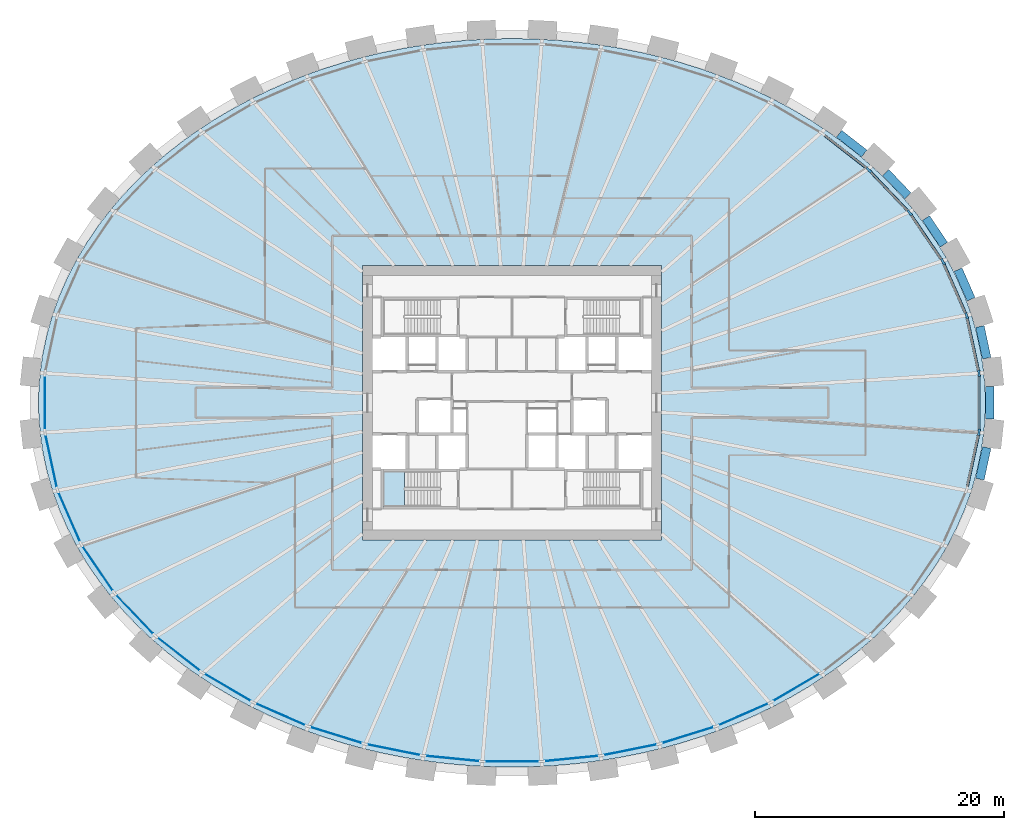
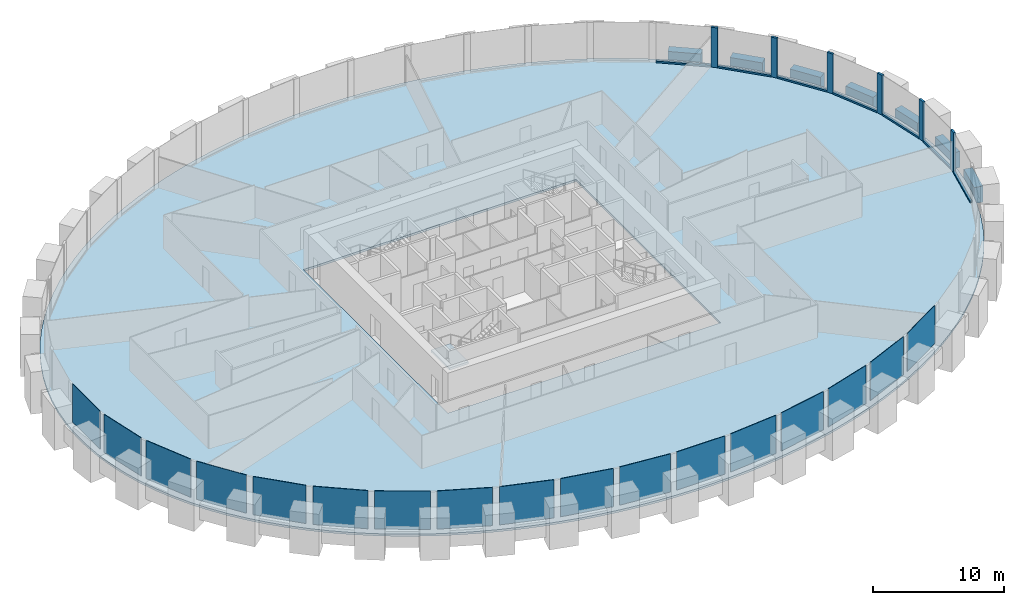
# One storey, part 4 of 11: 17 plates, 13 members, 7 beams, 2 slabs, 2 elements without a shape of their own.
"""IFC4 building model written with IfcOpenShell, lengths in metres."""

import ifcopenshell
import ifcopenshell.guid

model = None  # the IFC model being written
_history = None  # IfcOwnerHistory: only IFC2X3 demands one
_inside = {}  # id of a spatial element -> (the spatial element, [elements in it])
_under = {}  # id of a project, library or spatial element -> (it, [spatial elements below it])
_declared = {}  # id of a project -> (the project, [libraries it declares])
_typed = {}  # id of a type object -> (the type object, [elements of that type])
_made_of = {}  # id of a material, layer set ... -> (it, [elements and type objects made of it])


def new_model(schema):
    """Start an empty IFC model of exactly this schema.

    Asked for "IFC4X3", IfcOpenShell would pick the latest addendum, in which some entities
    have other attributes; the version numbers below select the first issue.
    IFC2X3 requires an IfcOwnerHistory on every rooted entity: one is made here for all.
    """
    global model, _history
    if schema == "IFC4X3":
        model = ifcopenshell.file(schema_version=(4, 3, 0, 0))
    else:
        model = ifcopenshell.file(schema=schema)
    _inside.clear()
    _under.clear()
    _declared.clear()
    _typed.clear()
    _made_of.clear()
    _history = None
    if model.schema == "IFC2X3":
        org = make("IfcOrganization", Name="unknown")
        user = make(
            "IfcPersonAndOrganization",
            ThePerson=make("IfcPerson", FamilyName="unknown"),
            TheOrganization=org,
        )
        app = make(
            "IfcApplication",
            ApplicationDeveloper=org,
            Version="unknown",
            ApplicationFullName="unknown",
            ApplicationIdentifier="unknown",
        )
        _history = make(
            "IfcOwnerHistory",
            OwningUser=user,
            OwningApplication=app,
            ChangeAction="ADDED",
            CreationDate=0,
        )
    return model


def make(cls, **values):
    """One entity of the class cls with the attributes given. An attribute that is None is left unset."""
    return model.create_entity(
        cls, **{name: value for name, value in values.items() if value is not None}
    )


def rooted(cls, **values):
    """An entity with a GlobalId (a new one), such as an element, a storey or a relation."""
    return make(cls, GlobalId=ifcopenshell.guid.new(), OwnerHistory=_history, **values)


def si_unit(unit_type, name, prefix=None):
    """IfcSIUnit, for example si_unit("LENGTHUNIT", "METRE", prefix="MILLI")."""
    return make("IfcSIUnit", UnitType=unit_type, Prefix=prefix, Name=name)


def assignment(units):
    """IfcUnitAssignment: the units of a project."""
    return None if units is None else make("IfcUnitAssignment", Units=units)


def point(xyz):
    """IfcCartesianPoint."""
    return None if xyz is None else make("IfcCartesianPoint", Coordinates=xyz)


def direction(xyz):
    """IfcDirection."""
    return None if xyz is None else make("IfcDirection", DirectionRatios=xyz)


def frame(location, z_axis=None, x_axis=None):
    """IfcAxis2Placement3D, a coordinate frame: its origin and axes. An axis left out is left unset."""
    return make(
        "IfcAxis2Placement3D",
        Location=point(location),
        Axis=direction(z_axis),
        RefDirection=direction(x_axis),
    )


def frame_2d(location, x_axis=None):
    """IfcAxis2Placement2D, a coordinate frame in the plane: its origin and x axis."""
    return make(
        "IfcAxis2Placement2D", Location=point(location), RefDirection=direction(x_axis)
    )


def origin():
    """The frame at (0, 0, 0) with its axes left unset."""
    return frame((0.0, 0.0, 0.0))


def origin_2d():
    """The frame at (0, 0) in the plane with its x axis left unset."""
    return frame_2d((0.0, 0.0))


def place(relative_to, where):
    """IfcLocalPlacement: puts the frame where relative to a parent placement (None: the world)."""
    return make(
        "IfcLocalPlacement", PlacementRelTo=relative_to, RelativePlacement=where
    )


def context(
    kind, dimensions, precision=None, world=None, true_north=None, identifier=None
):
    """IfcGeometricRepresentationContext, for example the 3D "Model" context."""
    return make(
        "IfcGeometricRepresentationContext",
        ContextIdentifier=identifier,
        ContextType=kind,
        CoordinateSpaceDimension=dimensions,
        Precision=precision,
        WorldCoordinateSystem=world,
        TrueNorth=true_north,
    )


def subcontext(parent, identifier, kind, view, scale=None):
    """IfcGeometricRepresentationSubContext, for example "Body" below "Model"."""
    return make(
        "IfcGeometricRepresentationSubContext",
        ContextIdentifier=identifier,
        ContextType=kind,
        ParentContext=parent,
        TargetScale=scale,
        TargetView=view,
    )


def project(units=None, contexts=None):
    """IfcProject with its units and contexts."""
    return rooted(
        "IfcProject",
        Name="project",
        RepresentationContexts=contexts,
        UnitsInContext=assignment(units),
    )


def spatial(cls, under=None, at=None, **own):
    """A site, building, storey or space (cls), placed at a placement, below another one or the project."""
    s = rooted(cls, ObjectPlacement=at, **own)
    if under is not None:
        _under.setdefault(under.id(), (under, []))[1].append(s)
    return s


def polyline(points):
    """IfcPolyline through the points."""
    return make("IfcPolyline", Points=[point(p) for p in points])


def profile(cls, at=None, kind="AREA", **sizes):
    """A parametric profile (cls). Its sizes go by their IFC names, for example OverallWidth=200.0."""
    return make(cls, ProfileType=kind, Position=at, **sizes)


def rectangle(**sizes):
    """IfcRectangleProfileDef."""
    return profile("IfcRectangleProfileDef", **sizes)


def outline(outer, holes=None, kind="AREA"):
    """IfcArbitraryClosedProfileDef: a profile drawn as a closed curve; with holes, ...WithVoids."""
    if holes is None:
        return make("IfcArbitraryClosedProfileDef", ProfileType=kind, OuterCurve=outer)
    return make(
        "IfcArbitraryProfileDefWithVoids",
        ProfileType=kind,
        OuterCurve=outer,
        InnerCurves=holes,
    )


def extrude(swept, where, along, depth):
    """IfcExtrudedAreaSolid: the profile swept, set in the frame where, extruded along a direction by depth."""
    return make(
        "IfcExtrudedAreaSolid",
        SweptArea=swept,
        Position=where,
        ExtrudedDirection=direction(along),
        Depth=depth,
    )


def shape(context_of_items, identifier, shape_type, items):
    """IfcShapeRepresentation: the items that make up one representation, for example the "Body"."""
    return make(
        "IfcShapeRepresentation",
        ContextOfItems=context_of_items,
        RepresentationIdentifier=identifier,
        RepresentationType=shape_type,
        Items=items,
    )


def source(mapping_origin, context_of_items, identifier, shape_type, items):
    """IfcRepresentationMap: a shape defined once, which mapped items show again and again."""
    return make(
        "IfcRepresentationMap",
        MappingOrigin=mapping_origin,
        MappedRepresentation=shape(context_of_items, identifier, shape_type, items),
    )


def transform(
    local_origin,
    x_axis=None,
    y_axis=None,
    z_axis=None,
    scale=None,
    scale2=None,
    scale3=None,
    uniform=True,
):
    """IfcCartesianTransformationOperator3D, or its non-uniform kind. x_axis, y_axis, z_axis: its Axis1, 2, 3."""
    if uniform:
        return make(
            "IfcCartesianTransformationOperator3D",
            Axis1=direction(x_axis),
            Axis2=direction(y_axis),
            LocalOrigin=point(local_origin),
            Scale=scale,
            Axis3=direction(z_axis),
        )
    return make(
        "IfcCartesianTransformationOperator3DnonUniform",
        Axis1=direction(x_axis),
        Axis2=direction(y_axis),
        LocalOrigin=point(local_origin),
        Scale=scale,
        Axis3=direction(z_axis),
        Scale2=scale2,
        Scale3=scale3,
    )


def mapped(mapping_source, mapping_target):
    """IfcMappedItem: shows the shape of a source again, moved by a transform."""
    return make(
        "IfcMappedItem", MappingSource=mapping_source, MappingTarget=mapping_target
    )


def material(Name=None, Category=None):
    """IfcMaterial."""
    return make("IfcMaterial", Name=Name, Category=Category)


def layer(
    of_material, thickness, ventilated=None, Name=None, Category=None, Priority=None
):
    """IfcMaterialLayer: one layer of a wall or slab, of a material (None: an air gap)."""
    return make(
        "IfcMaterialLayer",
        Material=of_material,
        LayerThickness=thickness,
        IsVentilated=ventilated,
        Name=Name,
        Category=Category,
        Priority=Priority,
    )


def layer_set(layers, Name=None):
    """IfcMaterialLayerSet."""
    return make("IfcMaterialLayerSet", MaterialLayers=layers, LayerSetName=Name)


def material_profile(
    of_material, cross_section, Name=None, Category=None, Priority=None
):
    """IfcMaterialProfile: a cross section and its material."""
    return make(
        "IfcMaterialProfile",
        Name=Name,
        Material=of_material,
        Profile=cross_section,
        Priority=Priority,
        Category=Category,
    )


def profile_set(profiles, Name=None, composite=None):
    """IfcMaterialProfileSet."""
    return make(
        "IfcMaterialProfileSet",
        Name=Name,
        MaterialProfiles=profiles,
        CompositeProfile=composite,
    )


def made_of(thing, what):
    """Note that an element or type object is made of a material, layer set ...; save() writes the relation."""
    if what is not None:
        _made_of.setdefault(what.id(), (what, []))[1].append(thing)
    return thing


def type_object(cls, material=None, **own):
    """A type object (cls), such as IfcWallType, which elements share."""
    return made_of(rooted(cls, **own), material)


def element(
    cls,
    number,
    at=None,
    inside=None,
    cuts=None,
    type_object=None,
    material=None,
    context=None,
    identifier="Body",
    shape_type=None,
    held_by="IfcProductDefinitionShape",
    body=None,
    shapes=None,
    **own,
):
    """One element of the class cls, such as IfcWall. Its Tag is "e" and its number.

    at: its placement. inside: the storey or other place that contains it. cuts: it is an
    opening in that element (IfcRelVoidsElement). A single representation is given by context,
    identifier, shape_type and body (its items); several are given by shapes. held_by: the class
    of the entity that holds the representations. save() writes the other relations.
    """
    e = rooted(cls, Tag="e%d" % number, ObjectPlacement=at, **own)
    if body is not None:
        shapes = [shape(context, identifier, shape_type, body)]
    if shapes is not None:
        e.Representation = make(held_by, Representations=shapes)
    if inside is not None:
        _inside.setdefault(inside.id(), (inside, []))[1].append(e)
    if cuts is not None:
        rooted(
            "IfcRelVoidsElement", RelatingBuildingElement=cuts, RelatedOpeningElement=e
        )
    if type_object is not None:
        _typed.setdefault(type_object.id(), (type_object, []))[1].append(e)
    return made_of(e, material)


def aggregate(whole, parts):
    """IfcRelAggregates: a whole, such as a stair, and the parts it consists of."""
    return rooted("IfcRelAggregates", RelatingObject=whole, RelatedObjects=parts)


def save(model, path):
    """Write the relations noted so far, then the file.

    IfcRelAggregates (storeys below a building ...), IfcRelContainedInSpatialStructure (elements
    in a storey), IfcRelDefinesByType, IfcRelAssociatesMaterial and IfcRelDeclares: one each for
    every whole, place, type object, material and project.
    """
    for whole, parts in _under.values():
        aggregate(whole, parts)
    for where, things in _inside.values():
        rooted(
            "IfcRelContainedInSpatialStructure",
            RelatedElements=things,
            RelatingStructure=where,
        )
    for kind, things in _typed.values():
        rooted("IfcRelDefinesByType", RelatedObjects=things, RelatingType=kind)
    for what, things in _made_of.values():
        rooted("IfcRelAssociatesMaterial", RelatedObjects=things, RelatingMaterial=what)
    for by, libraries in _declared.values():
        rooted("IfcRelDeclares", RelatingContext=by, RelatedDefinitions=libraries)
    model.write(path)


model = new_model("IFC4")

# Units and contexts
model_context = context("Model", 3, precision=1e-05, world=origin(), true_north=direction((0.0, 1.0)))
body_context = subcontext(model_context, "Body", "Model", "MODEL_VIEW")
ifc_project = project(units=[si_unit("LENGTHUNIT", "METRE"), si_unit("AREAUNIT", "SQUARE_METRE"), si_unit("VOLUMEUNIT", "CUBIC_METRE"), si_unit("PLANEANGLEUNIT", "RADIAN"), si_unit("MASSUNIT", "GRAM", prefix="KILO")], contexts=[model_context])

# Site, building, storey
site_placement = place(None, origin())
site = spatial("IfcSite", under=ifc_project, at=site_placement, CompositionType="ELEMENT")
building_placement = place(site_placement, origin())
building = spatial("IfcBuilding", under=site, at=building_placement, Name="Embergate Tower", CompositionType="ELEMENT")
storey_placement = place(building_placement, frame((0.0, 0.0, 139.800048828125)))
storey = spatial("IfcBuildingStorey", under=building, at=storey_placement, Name="L30", CompositionType="ELEMENT", Elevation=139.800048828125)

# Beams
ifc_material_1 = material(Name="Concrete C70", Category="concrete")
ifc_material_profile_1 = material_profile(ifc_material_1, rectangle(XDim=0.699951171875, YDim=1.5, at=origin_2d()), Name="RC 700x1500")
ifc_profile_set_1 = profile_set([ifc_material_profile_1], Name="Concrete C70")
beam_type = type_object("IfcBeamType", Name="Spandrel beam RC 700x1500 C70", PredefinedType="BEAM", material=ifc_profile_set_1)
shared_shape_1 = source(origin(), body_context, "Body", "SweptSolid", [
    extrude(rectangle(XDim=0.699951171875, YDim=1.5, at=origin_2d()), origin(), (0.0, 0.0, 1.0), 2.59423828125),
])
for number, where, z_axis, x_axis, name in (
    (1, (38.06103515625, 3.583984375, 0.0), (-0.210518717987, 0.977589826756, 0.0), (-0.977589826756, -0.210518717987, 0.0), "SPN-L30-00"),
    (2, (37.514892578125, -6.1201171875, 0.0), (0.210518717987, 0.977589826756, 0.0), (-0.977589826756, 0.210518717987, 0.0), "SPN-L30-42"),
    (3, (38.303955078125, -1.297119140625, 0.0), (0.0, 1.0, 0.0), (-1.0, 0.0, 0.0), "SPN-L30-43"),
):
    element("IfcBeam", number, at=place(storey_placement, frame(where, z_axis=z_axis, x_axis=x_axis)), inside=storey, type_object=beam_type, Name=name, PredefinedType="BEAM", context=body_context, shape_type="MappedRepresentation", body=[
        mapped(shared_shape_1, transform((0.0, 0.0, 0.0))),
    ])
shared_shape_2 = source(origin(), body_context, "Body", "SweptSolid", [
    extrude(rectangle(XDim=0.699951171875, YDim=1.5, at=origin_2d()), origin(), (0.0, 0.0, 1.0), 2.5888671875),
])
beam_1_placement = place(storey_placement, frame((36.80810546875, 8.30810546875, 0.0), z_axis=(-0.401723931702, 0.915760821775, 0.0), x_axis=(-0.915760821775, -0.401723931702, 0.0)))
element("IfcBeam", 4, at=beam_1_placement, inside=storey, type_object=beam_type, Name="SPN-L30-01", PredefinedType="BEAM", context=body_context, shape_type="MappedRepresentation", body=[
    mapped(shared_shape_2, transform((0.0, 0.0, 0.0))),
])
shared_shape_3 = source(origin(), body_context, "Body", "SweptSolid", [
    extrude(rectangle(XDim=0.699951171875, YDim=1.5, at=origin_2d()), origin(), (0.0, 0.0, 1.0), 2.5791015625),
])
beam_2_placement = place(storey_placement, frame((34.636962890625, 12.680908203125, 0.0), z_axis=(-0.562170202136, 0.82702156189, 0.0), x_axis=(-0.82702156189, -0.562170202136, 0.0)))
element("IfcBeam", 5, at=beam_2_placement, inside=storey, type_object=beam_type, Name="SPN-L30-02", PredefinedType="BEAM", context=body_context, shape_type="MappedRepresentation", body=[
    mapped(shared_shape_3, transform((0.0, 0.0, 0.0))),
])
shared_shape_4 = source(origin(), body_context, "Body", "SweptSolid", [
    extrude(rectangle(XDim=0.699951171875, YDim=1.5, at=origin_2d()), origin(), (0.0, 0.0, 1.0), 2.574462890625),
])
beam_3_placement = place(storey_placement, frame((31.740966796875, 16.60302734375, 0.0), z_axis=(-0.690171205001, 0.72364612055, 0.0), x_axis=(-0.72364612055, -0.690171205001, 0.0)))
element("IfcBeam", 6, at=beam_3_placement, inside=storey, type_object=beam_type, Name="SPN-L30-03", PredefinedType="BEAM", context=body_context, shape_type="MappedRepresentation", body=[
    mapped(shared_shape_4, transform((0.0, 0.0, 0.0))),
])
shared_shape_5 = source(origin(), body_context, "Body", "SweptSolid", [
    extrude(rectangle(XDim=0.699951171875, YDim=1.5, at=origin_2d()), origin(), (0.0, 0.0, 1.0), 2.56689453125),
])
beam_4_placement = place(storey_placement, frame((28.24609375, 19.9951171875, 0.0), z_axis=(-0.788172869351, 0.615453920305, 0.0), x_axis=(-0.615453920305, -0.788172869351, 0.0)))
element("IfcBeam", 7, at=beam_4_placement, inside=storey, type_object=beam_type, Name="SPN-L30-04", PredefinedType="BEAM", context=body_context, shape_type="MappedRepresentation", body=[
    mapped(shared_shape_5, transform((0.0, 0.0, 0.0))),
])

# Curtain wall, members
ifc_material_2 = material(Name="Aluminium and glass", Category="aluminium")
curtain_wall_type = type_object("IfcCurtainWallType", Name="Recessed office glazing", PredefinedType="NOTDEFINED", material=ifc_material_2)
curtain_wall_placement = place(storey_placement, origin())
curtain_wall = element("IfcCurtainWall", 8, at=curtain_wall_placement, inside=storey, type_object=curtain_wall_type, Name="Recessed office glazing ring", ObjectType="RECESSED OFFICE GLAZING", PredefinedType="USERDEFINED")
ifc_material_3 = material(Name="Aluminium, thermally broken", Category="aluminium")
ifc_material_profile_2 = material_profile(ifc_material_3, rectangle(XDim=0.179931640625, YDim=0.52001953125, at=origin_2d()), Name="AL 520x180")
ifc_profile_set_2 = profile_set([ifc_material_profile_2], Name="Aluminium, thermally broken")
member_type_1 = type_object("IfcMemberType", Name="Office mullion", PredefinedType="MULLION", material=ifc_profile_set_2)
shared_shape_6 = source(origin(), body_context, "Body", "SweptSolid", [
    extrude(rectangle(XDim=0.179931640625, YDim=0.52001953125, at=origin_2d()), origin(), (0.0, 0.0, 1.0), 3.699951171875),
])
member_1_placement = place(storey_placement, frame((37.4462890625, 2.36181640625, 0.0), z_axis=(0.0, 0.0, 1.0), x_axis=(-0.994384954736, -0.105823257345, 0.0)))
member_1 = element("IfcMember", 9, at=member_1_placement, type_object=member_type_1, Name="CW mullion 1", PredefinedType="MULLION", context=body_context, shape_type="MappedRepresentation", body=[
    mapped(shared_shape_6, transform((0.0, 0.0, 0.0))),
])
member_2_placement = place(storey_placement, frame((36.451904296875, 6.982177734375, 0.0), z_axis=(0.0, 0.0, 1.0), x_axis=(-0.951497797992, -0.307655554826, 0.0)))
member_2 = element("IfcMember", 10, at=member_2_placement, type_object=member_type_1, Name="CW mullion 2", PredefinedType="MULLION", context=body_context, shape_type="MappedRepresentation", body=[
    mapped(shared_shape_6, transform((0.0, 0.0, 0.0))),
])
member_3_placement = place(storey_placement, frame((34.55078125, 11.31689453125, 0.0), z_axis=(0.0, 0.0, 1.0), x_axis=(-0.875001895832, -0.484119491748, 0.0)))
member_3 = element("IfcMember", 11, at=member_3_placement, type_object=member_type_1, Name="CW mullion 3", PredefinedType="MULLION", context=body_context, shape_type="MappedRepresentation", body=[
    mapped(shared_shape_6, transform((0.0, 0.0, 0.0))),
])
member_4_placement = place(storey_placement, frame((31.88427734375, 15.238037109375, 0.0), z_axis=(0.0, 0.0, 1.0), x_axis=(-0.777871467551, -0.628423408198, 0.0)))
member_4 = element("IfcMember", 12, at=member_4_placement, type_object=member_type_1, Name="CW mullion 4", PredefinedType="MULLION", context=body_context, shape_type="MappedRepresentation", body=[
    mapped(shared_shape_6, transform((0.0, 0.0, 0.0))),
])
member_5_placement = place(storey_placement, frame((28.605712890625, 18.676025390625, 0.0), z_axis=(0.0, 0.0, 1.0), x_axis=(-0.671225240226, -0.741253449829, 0.0)))
member_5 = element("IfcMember", 13, at=member_5_placement, type_object=member_type_1, Name="CW mullion 5", PredefinedType="MULLION", context=body_context, shape_type="MappedRepresentation", body=[
    mapped(shared_shape_6, transform((0.0, 0.0, 0.0))),
])
member_6_placement = place(storey_placement, frame((37.4462890625, -2.36181640625, 0.0), z_axis=(0.0, 0.0, 1.0), x_axis=(-0.994384954736, 0.105823257345, 0.0)))
member_6 = element("IfcMember", 14, at=member_6_placement, type_object=member_type_1, Name="CW mullion 44", PredefinedType="MULLION", context=body_context, shape_type="MappedRepresentation", body=[
    mapped(shared_shape_6, transform((0.0, 0.0, 0.0))),
])
ifc_material_profile_3 = material_profile(ifc_material_3, rectangle(XDim=0.179931640625, YDim=0.14990234375, at=origin_2d()), Name="AL 150x180")
ifc_profile_set_3 = profile_set([ifc_material_profile_3], Name="Aluminium, thermally broken")
member_type_2 = type_object("IfcMemberType", Name="Office sill transom", PredefinedType="USERDEFINED", material=ifc_profile_set_3)
shared_shape_7 = source(origin(), body_context, "Body", "SweptSolid", [
    extrude(rectangle(XDim=0.179931640625, YDim=0.14990234375, at=origin_2d()), origin(), (0.0, 0.0, 1.0), 4.206298828125),
])
member_7_placement = place(storey_placement, frame((37.3916015625, 2.615966796875, 0.074951171875), z_axis=(-0.210405025701, 0.977614302862, 0.0), x_axis=(-0.977614302862, -0.210405025701, 0.0)))
member_7 = element("IfcMember", 15, at=member_7_placement, type_object=member_type_2, Name="CW transom 1.1", ObjectType="TRANSOM", PredefinedType="USERDEFINED", context=body_context, shape_type="MappedRepresentation", body=[
    mapped(shared_shape_7, transform((0.0, 0.0, 0.0))),
])
member_8_placement = place(storey_placement, frame((36.506591796875, -6.72802734375, 0.074951171875), z_axis=(0.210405025701, 0.977614302862, 0.0), x_axis=(-0.977614302862, 0.210405025701, 0.0)))
member_8 = element("IfcMember", 16, at=member_8_placement, type_object=member_type_2, Name="CW transom 43.1", ObjectType="TRANSOM", PredefinedType="USERDEFINED", context=body_context, shape_type="MappedRepresentation", body=[
    mapped(shared_shape_7, transform((0.0, 0.0, 0.0))),
])
shared_shape_8 = source(origin(), body_context, "Body", "SweptSolid", [
    extrude(rectangle(XDim=0.179931640625, YDim=0.14990234375, at=origin_2d()), origin(), (0.0, 0.0, 1.0), 4.213134765625),
])
member_9_placement = place(storey_placement, frame((36.34765625, 7.22021484375, 0.074951171875), z_axis=(-0.40163335885, 0.915800548733, 0.0), x_axis=(-0.915800548733, -0.40163335885, 0.0)))
member_9 = element("IfcMember", 17, at=member_9_placement, type_object=member_type_2, Name="CW transom 2.1", ObjectType="TRANSOM", PredefinedType="USERDEFINED", context=body_context, shape_type="MappedRepresentation", body=[
    mapped(shared_shape_8, transform((0.0, 0.0, 0.0))),
])
shared_shape_9 = source(origin(), body_context, "Body", "SweptSolid", [
    extrude(rectangle(XDim=0.179931640625, YDim=0.14990234375, at=origin_2d()), origin(), (0.0, 0.0, 1.0), 4.22216796875),
])
member_10_placement = place(storey_placement, frame((34.40478515625, 11.53173828125, 0.074951171875), z_axis=(-0.562349562031, 0.826899613063, 0.0), x_axis=(-0.826899613063, -0.562349562031, 0.0)))
member_10 = element("IfcMember", 18, at=member_10_placement, type_object=member_type_2, Name="CW transom 3.1", ObjectType="TRANSOM", PredefinedType="USERDEFINED", context=body_context, shape_type="MappedRepresentation", body=[
    mapped(shared_shape_9, transform((0.0, 0.0, 0.0))),
])
shared_shape_10 = source(origin(), body_context, "Body", "SweptSolid", [
    extrude(rectangle(XDim=0.179931640625, YDim=0.14990234375, at=origin_2d()), origin(), (0.0, 0.0, 1.0), 4.230712890625),
])
member_11_placement = place(storey_placement, frame((31.704833984375, 15.42626953125, 0.074951171875), z_axis=(-0.690173739415, 0.723643703367, 0.0), x_axis=(-0.723643703367, -0.690173739415, 0.0)))
member_11 = element("IfcMember", 19, at=member_11_placement, type_object=member_type_2, Name="CW transom 4.1", ObjectType="TRANSOM", PredefinedType="USERDEFINED", context=body_context, shape_type="MappedRepresentation", body=[
    mapped(shared_shape_10, transform((0.0, 0.0, 0.0))),
])
shared_shape_11 = source(origin(), body_context, "Body", "SweptSolid", [
    extrude(rectangle(XDim=0.179931640625, YDim=0.14990234375, at=origin_2d()), origin(), (0.0, 0.0, 1.0), 4.23828125),
])
member_12_placement = place(storey_placement, frame((28.400634765625, 18.8359375, 0.074951171875), z_axis=(-0.788315102029, 0.615271728518, 0.0), x_axis=(-0.615271728518, -0.788315102029, 0.0)))
member_12 = element("IfcMember", 20, at=member_12_placement, type_object=member_type_2, Name="CW transom 5.1", ObjectType="TRANSOM", PredefinedType="USERDEFINED", context=body_context, shape_type="MappedRepresentation", body=[
    mapped(shared_shape_11, transform((0.0, 0.0, 0.0))),
])
shared_shape_12 = source(origin(), body_context, "Body", "SweptSolid", [
    extrude(rectangle(XDim=0.179931640625, YDim=0.14990234375, at=origin_2d()), origin(), (0.0, 0.0, 1.0), 4.20361328125),
])
member_13_placement = place(storey_placement, frame((37.4462890625, -2.101806640625, 0.074951171875), z_axis=(0.0, 1.0, 0.0), x_axis=(-1.0, 0.0, 0.0)))
member_13 = element("IfcMember", 21, at=member_13_placement, type_object=member_type_2, Name="CW transom 44.1", ObjectType="TRANSOM", PredefinedType="USERDEFINED", context=body_context, shape_type="MappedRepresentation", body=[
    mapped(shared_shape_12, transform((0.0, 0.0, 0.0))),
])

# Slab
ifc_material_4 = material(Name="Concrete C40", Category="concrete")
ifc_layer_1 = layer(ifc_material_4, 0.199951171875)
ifc_layer_set_1 = layer_set([ifc_layer_1], Name="Concrete C40")
slab_type_1 = type_object("IfcSlabType", Name="Composite floor slab C40 200", PredefinedType="FLOOR", material=ifc_layer_set_1)
shared_shape_13 = source(origin(), body_context, "Body", "SweptSolid", [
    extrude(outline(polyline([(0.0, 0.0), (1.60595703125, 0.0), (3.2099609375, 0.052001953125), (4.81494140625, 0.156982421875), (6.4130859375, 0.31396484375), (8.0009765625, 0.52294921875), (9.591064453125, 0.7861328125), (11.166015625, 1.10205078125), (12.720947265625, 1.468994140625), (14.280029296875, 1.89501953125), (15.81201171875, 2.3720703125), (17.31689453125, 2.901123046875), (18.823974609375, 3.4931640625), (20.294921875, 4.135986328125), (21.72705078125, 4.8291015625), (23.157958984375, 5.593017578125), (24.5419921875, 6.406982421875), (25.8759765625, 7.26806640625), (27.200927734375, 8.208984375), (28.467041015625, 9.196044921875), (29.669921875, 10.22900390625), (30.85009765625, 11.34716796875), (31.9580078125, 12.509033203125), (32.989990234375, 13.711181640625), (33.97900390625, 15.0009765625), (34.882080078125, 16.328125), (35.695068359375, 17.68798828125), (36.43896484375, 19.129150390625), (37.083984375, 20.59814453125), (37.6259765625, 22.092041015625), (38.073974609375, 23.64404296875), (38.410888671875, 25.212158203125), (38.636962890625, 26.7919921875), (38.751953125, 28.39306640625), (38.751953125, 29.9970703125), (38.636962890625, 31.59814453125), (38.410888671875, 33.177978515625), (38.073974609375, 34.74609375), (37.6259765625, 36.298095703125), (37.083984375, 37.7919921875), (36.43896484375, 39.260986328125), (35.695068359375, 40.7021484375), (34.882080078125, 42.06201171875), (33.97900390625, 43.38916015625), (32.989990234375, 44.678955078125), (31.9580078125, 45.881103515625), (30.85009765625, 47.04296875), (29.669921875, 48.1611328125), (28.467041015625, 49.194091796875), (27.200927734375, 50.18115234375), (25.8759765625, 51.1220703125), (24.5419921875, 51.983154296875), (23.157958984375, 52.797119140625), (21.72705078125, 53.56103515625), (20.294921875, 54.254150390625), (18.823974609375, 54.89697265625), (17.31689453125, 55.489013671875), (15.81201171875, 56.01806640625), (14.280029296875, 56.4951171875), (12.720947265625, 56.921142578125), (11.166015625, 57.2880859375), (9.591064453125, 57.60400390625), (8.0009765625, 57.8671875), (6.4130859375, 58.076171875), (4.81494140625, 58.233154296875), (3.2099609375, 58.338134765625), (1.60595703125, 58.39013671875), (0.0, 58.39013671875), (-1.60400390625, 58.338134765625), (-3.208984375, 58.233154296875), (-4.80712890625, 58.076171875), (-6.39501953125, 57.8671875), (-7.985107421875, 57.60400390625), (-9.56005859375, 57.2880859375), (-11.114990234375, 56.921142578125), (-12.674072265625, 56.4951171875), (-14.2060546875, 56.01806640625), (-15.7109375, 55.489013671875), (-17.218017578125, 54.89697265625), (-18.68896484375, 54.254150390625), (-20.12109375, 53.56103515625), (-21.552001953125, 52.797119140625), (-22.93603515625, 51.983154296875), (-24.27001953125, 51.1220703125), (-25.594970703125, 50.18115234375), (-26.861083984375, 49.194091796875), (-28.06396484375, 48.1611328125), (-29.244140625, 47.04296875), (-30.35205078125, 45.881103515625), (-31.384033203125, 44.678955078125), (-32.373046875, 43.38916015625), (-33.276123046875, 42.06201171875), (-34.089111328125, 40.7021484375), (-34.8330078125, 39.260986328125), (-35.47802734375, 37.7919921875), (-36.02001953125, 36.298095703125), (-36.468017578125, 34.74609375), (-36.804931640625, 33.177978515625), (-37.031005859375, 31.59814453125), (-37.14599609375, 29.9970703125), (-37.14599609375, 28.39306640625), (-37.031005859375, 26.7919921875), (-36.804931640625, 25.212158203125), (-36.468017578125, 23.64404296875), (-36.02001953125, 22.092041015625), (-35.47802734375, 20.59814453125), (-34.8330078125, 19.129150390625), (-34.089111328125, 17.68798828125), (-33.276123046875, 16.328125), (-32.373046875, 15.0009765625), (-31.384033203125, 13.711181640625), (-30.35205078125, 12.509033203125), (-29.244140625, 11.34716796875), (-28.06396484375, 10.22900390625), (-26.861083984375, 9.196044921875), (-25.594970703125, 8.208984375), (-24.27001953125, 7.26806640625), (-22.93603515625, 6.406982421875), (-21.552001953125, 5.593017578125), (-20.12109375, 4.8291015625), (-18.68896484375, 4.135986328125), (-17.218017578125, 3.4931640625), (-15.7109375, 2.901123046875), (-14.2060546875, 2.3720703125), (-12.674072265625, 1.89501953125), (-11.114990234375, 1.468994140625), (-9.56005859375, 1.10205078125), (-7.985107421875, 0.7861328125), (-6.39501953125, 0.52294921875), (-4.80712890625, 0.31396484375), (-3.208984375, 0.156982421875), (-1.60400390625, 0.052001953125), (0.0, 0.0)]), holes=[polyline([(-11.197021484375, 18.195068359375), (-11.197021484375, 40.195068359375), (12.802978515625, 40.195068359375), (12.802978515625, 18.195068359375), (-11.197021484375, 18.195068359375)])]), origin(), (0.0, 0.0, 1.0), 0.199951171875),
])
slab_1_placement = place(storey_placement, frame((-0.802978515625, -29.195068359375, -0.199951171875)))
element("IfcSlab", 22, at=slab_1_placement, inside=storey, type_object=slab_type_1, Name="SLB-L30-00", PredefinedType="FLOOR", context=body_context, shape_type="MappedRepresentation", body=[
    mapped(shared_shape_13, transform((0.0, 0.0, 0.0))),
])

# Plate
ifc_material_5 = material(Name="Triple glazing, low-emissivity coating", Category="glass")
ifc_layer_2 = layer(ifc_material_5, 0.035888671875)
ifc_layer_set_2 = layer_set([ifc_layer_2], Name="Triple glazing, low-emissivity coating")
plate_type = type_object("IfcPlateType", Name="Office glazing unit", PredefinedType="CURTAIN_PANEL", material=ifc_layer_set_2)
shared_shape_14 = source(origin(), body_context, "Body", "SweptSolid", [
    extrude(rectangle(XDim=4.25439453125, YDim=0.035888671875, at=origin_2d()), origin(), (0.0, 0.0, 1.0), 3.550048828125),
])
plate_1_placement = place(storey_placement, frame((-9.481201171875, -27.817138671875, 0.14990234375), z_axis=(0.0, 0.0, 1.0), x_axis=(0.980476250608, -0.196637539636, 0.0)))
plate_1 = element("IfcPlate", 23, at=plate_1_placement, type_object=plate_type, Name="CW panel 31.1", PredefinedType="CURTAIN_PANEL", context=body_context, shape_type="MappedRepresentation", body=[
    mapped(shared_shape_14, transform((0.0, 0.0, 0.0))),
])

plate_2_placement = place(storey_placement, frame((9.481201171875, -27.817138671875, 0.14990234375), z_axis=(0.0, 0.0, 1.0), x_axis=(0.980476250608, 0.196637539636, 0.0)))
plate_2 = element("IfcPlate", 24, at=plate_2_placement, type_object=plate_type, Name="CW panel 35.1", PredefinedType="CURTAIN_PANEL", context=body_context, shape_type="MappedRepresentation", body=[
    mapped(shared_shape_14, transform((0.0, 0.0, 0.0))),
])

shared_shape_15 = source(origin(), body_context, "Body", "SweptSolid", [
    extrude(rectangle(XDim=4.206298828125, YDim=0.035888671875, at=origin_2d()), origin(), (0.0, 0.0, 1.0), 3.550048828125),
])
plate_3_placement = place(storey_placement, frame((-36.94921875, -4.672119140625, 0.14990234375), z_axis=(0.0, 0.0, 1.0), x_axis=(0.210398391177, -0.97761573074, 0.0)))
plate_3 = element("IfcPlate", 25, at=plate_3_placement, type_object=plate_type, Name="CW panel 23.1", PredefinedType="CURTAIN_PANEL", context=body_context, shape_type="MappedRepresentation", body=[
    mapped(shared_shape_15, transform((0.0, 0.0, 0.0))),
])

shared_shape_16 = source(origin(), body_context, "Body", "SweptSolid", [
    extrude(rectangle(XDim=4.213134765625, YDim=0.035888671875, at=origin_2d()), origin(), (0.0, 0.0, 1.0), 3.550048828125),
])
plate_4_placement = place(storey_placement, frame((-35.50146484375, -9.1494140625, 0.14990234375), z_axis=(0.0, 0.0, 1.0), x_axis=(0.401655297873, -0.915790926844, 0.0)))
plate_4 = element("IfcPlate", 26, at=plate_4_placement, type_object=plate_type, Name="CW panel 24.1", PredefinedType="CURTAIN_PANEL", context=body_context, shape_type="MappedRepresentation", body=[
    mapped(shared_shape_16, transform((0.0, 0.0, 0.0))),
])

shared_shape_17 = source(origin(), body_context, "Body", "SweptSolid", [
    extrude(rectangle(XDim=4.22216796875, YDim=0.035888671875, at=origin_2d()), origin(), (0.0, 0.0, 1.0), 3.550048828125),
])
plate_5_placement = place(storey_placement, frame((-33.217529296875, -13.27734375, 0.14990234375), z_axis=(0.0, 0.0, 1.0), x_axis=(0.562344628355, -0.826902968286, 0.0)))
plate_5 = element("IfcPlate", 27, at=plate_5_placement, type_object=plate_type, Name="CW panel 25.1", PredefinedType="CURTAIN_PANEL", context=body_context, shape_type="MappedRepresentation", body=[
    mapped(shared_shape_17, transform((0.0, 0.0, 0.0))),
])

shared_shape_18 = source(origin(), body_context, "Body", "SweptSolid", [
    extrude(rectangle(XDim=4.230712890625, YDim=0.035888671875, at=origin_2d()), origin(), (0.0, 0.0, 1.0), 3.550048828125),
])
plate_6_placement = place(storey_placement, frame((-30.244873046875, -16.95703125, 0.14990234375), z_axis=(0.0, 0.0, 1.0), x_axis=(0.690137573644, -0.723678194673, 0.0)))
plate_6 = element("IfcPlate", 28, at=plate_6_placement, type_object=plate_type, Name="CW panel 26.1", PredefinedType="CURTAIN_PANEL", context=body_context, shape_type="MappedRepresentation", body=[
    mapped(shared_shape_18, transform((0.0, 0.0, 0.0))),
])

shared_shape_19 = source(origin(), body_context, "Body", "SweptSolid", [
    extrude(rectangle(XDim=4.23828125, YDim=0.035888671875, at=origin_2d()), origin(), (0.0, 0.0, 1.0), 3.550048828125),
])
plate_7_placement = place(storey_placement, frame((-26.72998046875, -20.139892578125, 0.14990234375), z_axis=(0.0, 0.0, 1.0), x_axis=(0.788322266931, -0.615262548398, 0.0)))
plate_7 = element("IfcPlate", 29, at=plate_7_placement, type_object=plate_type, Name="CW panel 27.1", PredefinedType="CURTAIN_PANEL", context=body_context, shape_type="MappedRepresentation", body=[
    mapped(shared_shape_19, transform((0.0, 0.0, 0.0))),
])

shared_shape_20 = source(origin(), body_context, "Body", "SweptSolid", [
    extrude(rectangle(XDim=4.244384765625, YDim=0.035888671875, at=origin_2d()), origin(), (0.0, 0.0, 1.0), 3.550048828125),
])
plate_8_placement = place(storey_placement, frame((-22.801025390625, -22.810791015625, 0.14990234375), z_axis=(0.0, 0.0, 1.0), x_axis=(0.862054936934, -0.506814843614, 0.0)))
plate_8 = element("IfcPlate", 30, at=plate_8_placement, type_object=plate_type, Name="CW panel 28.1", PredefinedType="CURTAIN_PANEL", context=body_context, shape_type="MappedRepresentation", body=[
    mapped(shared_shape_20, transform((0.0, 0.0, 0.0))),
])

plate_9_placement = place(storey_placement, frame((22.801025390625, -22.810791015625, 0.14990234375), z_axis=(0.0, 0.0, 1.0), x_axis=(0.862054936934, 0.506814843614, 0.0)))
plate_9 = element("IfcPlate", 31, at=plate_9_placement, type_object=plate_type, Name="CW panel 38.1", PredefinedType="CURTAIN_PANEL", context=body_context, shape_type="MappedRepresentation", body=[
    mapped(shared_shape_20, transform((0.0, 0.0, 0.0))),
])

shared_shape_21 = source(origin(), body_context, "Body", "SweptSolid", [
    extrude(rectangle(XDim=4.248779296875, YDim=0.035888671875, at=origin_2d()), origin(), (0.0, 0.0, 1.0), 3.550048828125),
])
plate_10_placement = place(storey_placement, frame((-18.562744140625, -24.973388671875, 0.14990234375), z_axis=(0.0, 0.0, 1.0), x_axis=(0.916236910986, -0.400636896638, 0.0)))
plate_10 = element("IfcPlate", 32, at=plate_10_placement, type_object=plate_type, Name="CW panel 29.1", PredefinedType="CURTAIN_PANEL", context=body_context, shape_type="MappedRepresentation", body=[
    mapped(shared_shape_21, transform((0.0, 0.0, 0.0))),
])

plate_11_placement = place(storey_placement, frame((18.562744140625, -24.973388671875, 0.14990234375), z_axis=(0.0, 0.0, 1.0), x_axis=(0.916236910986, 0.400636896638, 0.0)))
plate_11 = element("IfcPlate", 33, at=plate_11_placement, type_object=plate_type, Name="CW panel 37.1", PredefinedType="CURTAIN_PANEL", context=body_context, shape_type="MappedRepresentation", body=[
    mapped(shared_shape_21, transform((0.0, 0.0, 0.0))),
])

shared_shape_22 = source(origin(), body_context, "Body", "SweptSolid", [
    extrude(rectangle(XDim=4.252197265625, YDim=0.035888671875, at=origin_2d()), origin(), (0.0, 0.0, 1.0), 3.550048828125),
])
plate_12_placement = place(storey_placement, frame((-14.10009765625, -26.63818359375, 0.14990234375), z_axis=(0.0, 0.0, 1.0), x_axis=(0.954772736126, -0.297336547283, 0.0)))
plate_12 = element("IfcPlate", 34, at=plate_12_placement, type_object=plate_type, Name="CW panel 30.1", PredefinedType="CURTAIN_PANEL", context=body_context, shape_type="MappedRepresentation", body=[
    mapped(shared_shape_22, transform((0.0, 0.0, 0.0))),
])

plate_13_placement = place(storey_placement, frame((14.10009765625, -26.63818359375, 0.14990234375), z_axis=(0.0, 0.0, 1.0), x_axis=(0.954772736126, 0.297336547283, 0.0)))
plate_13 = element("IfcPlate", 35, at=plate_13_placement, type_object=plate_type, Name="CW panel 36.1", PredefinedType="CURTAIN_PANEL", context=body_context, shape_type="MappedRepresentation", body=[
    mapped(shared_shape_22, transform((0.0, 0.0, 0.0))),
])

shared_shape_23 = source(origin(), body_context, "Body", "SweptSolid", [
    extrude(rectangle(XDim=4.255615234375, YDim=0.035888671875, at=origin_2d()), origin(), (0.0, 0.0, 1.0), 3.550048828125),
])
plate_14_placement = place(storey_placement, frame((-4.764404296875, -28.52001953125, 0.14990234375), z_axis=(0.0, 0.0, 1.0), x_axis=(0.995203355531, -0.09782781373, 0.0)))
plate_14 = element("IfcPlate", 36, at=plate_14_placement, type_object=plate_type, Name="CW panel 32.1", PredefinedType="CURTAIN_PANEL", context=body_context, shape_type="MappedRepresentation", body=[
    mapped(shared_shape_23, transform((0.0, 0.0, 0.0))),
])

plate_15_placement = place(storey_placement, frame((4.764404296875, -28.52001953125, 0.14990234375), z_axis=(0.0, 0.0, 1.0), x_axis=(0.995203355531, 0.09782781373, 0.0)))
plate_15 = element("IfcPlate", 37, at=plate_15_placement, type_object=plate_type, Name="CW panel 34.1", PredefinedType="CURTAIN_PANEL", context=body_context, shape_type="MappedRepresentation", body=[
    mapped(shared_shape_23, transform((0.0, 0.0, 0.0))),
])

shared_shape_24 = source(origin(), body_context, "Body", "SweptSolid", [
    extrude(rectangle(XDim=4.256103515625, YDim=0.035888671875, at=origin_2d()), origin(), (0.0, 0.0, 1.0), 3.550048828125),
])
plate_16_placement = place(storey_placement, frame((0.0, -28.753662109375, 0.14990234375), z_axis=(0.0, 0.0, 1.0), x_axis=(1.0, 0.0, 0.0)))
plate_16 = element("IfcPlate", 38, at=plate_16_placement, type_object=plate_type, Name="CW panel 33.1", PredefinedType="CURTAIN_PANEL", context=body_context, shape_type="MappedRepresentation", body=[
    mapped(shared_shape_24, transform((0.0, 0.0, 0.0))),
])

shared_shape_25 = source(origin(), body_context, "Body", "SweptSolid", [
    extrude(rectangle(XDim=4.20361328125, YDim=0.035888671875, at=origin_2d()), origin(), (0.0, 0.0, 1.0), 3.550048828125),
])
plate_17_placement = place(storey_placement, frame((-37.4462890625, 0.0, 0.14990234375), z_axis=(0.0, 0.0, 1.0), x_axis=(0.0, -1.0, 0.0)))
plate_17 = element("IfcPlate", 39, at=plate_17_placement, type_object=plate_type, Name="CW panel 22.1", PredefinedType="CURTAIN_PANEL", context=body_context, shape_type="MappedRepresentation", body=[
    mapped(shared_shape_25, transform((0.0, 0.0, 0.0))),
])

aggregate(curtain_wall, [member_1, member_2, member_3, member_4, member_5, member_6, member_7, member_9, member_10, member_11, member_12, plate_17, plate_3, plate_4, plate_5, plate_6, plate_7, plate_8, plate_10, plate_12, plate_1, plate_14, plate_16, plate_15, plate_2, plate_13, plate_11, plate_9, member_8, member_13])

# Stair, slab
ifc_material_6 = material(Name="Exit stair")
stair_type = type_object("IfcStairType", Name="Exit stair", PredefinedType="HALF_TURN_STAIR", material=ifc_material_6)
stair_placement = place(storey_placement, origin())
stair = element("IfcStair", 40, at=stair_placement, inside=storey, type_object=stair_type, Name="L30 Exit stair 3", PredefinedType="HALF_TURN_STAIR")
ifc_layer_3 = layer(ifc_material_4, 0.199951171875)
ifc_layer_set_3 = layer_set([ifc_layer_3], Name="Concrete C40")
slab_type_2 = type_object("IfcSlabType", Name="Stair landing reinforced concrete", PredefinedType="LANDING", material=ifc_layer_set_3)
shared_shape_26 = source(origin(), body_context, "Body", "SweptSolid", [
    extrude(outline(polyline([(0.0, 0.0), (1.68994140625, 0.0), (1.68994140625, 2.800048828125), (0.0, 2.800048828125), (0.0, 0.0)])), origin(), (0.0, 0.0, 1.0), 0.199951171875),
])
slab_2_placement = place(storey_placement, frame((-10.300048828125, -8.300048828125, 1.75)))
slab_2 = element("IfcSlab", 41, at=slab_2_placement, type_object=slab_type_2, Name="ST3 landing 1", PredefinedType="LANDING", context=body_context, shape_type="MappedRepresentation", body=[
    mapped(shared_shape_26, transform((0.0, 0.0, 0.0))),
])
aggregate(stair, [slab_2])

save(model, "model.ifc")
